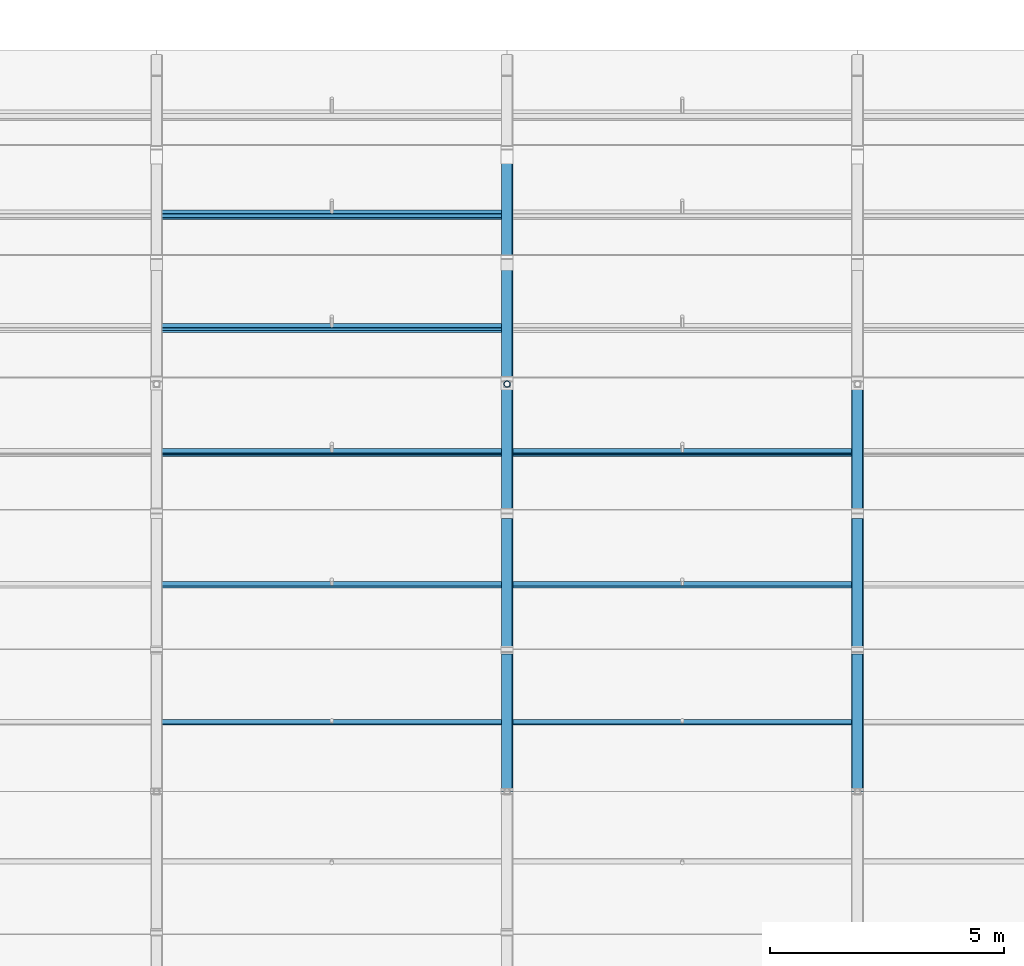
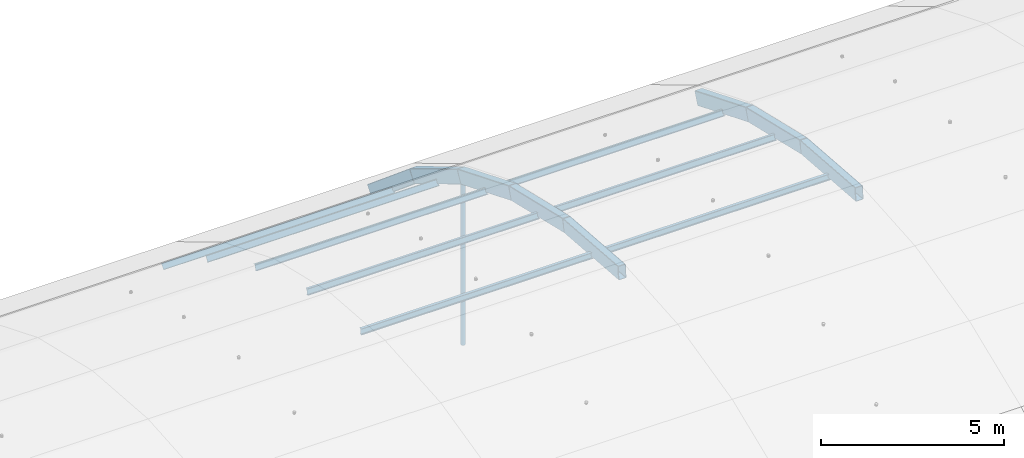
# One storey, part 26 of 77: 9 members, 8 beams.
"""IFC4 building model written with IfcOpenShell, lengths in metres."""

from ifc_helpers import new_model, si_unit, direction, frame, origin, origin_2d, place, context, subcontext, project, spatial, hollow_rectangle, hollow_circle, i_section, extrude, material, material_profile, profile_set, type_object, element, save


model = new_model("IFC4")

# Units and contexts
model_context = context("Model", 3, precision=1e-05, world=origin(), true_north=direction((0.0, 1.0)))
body_context = subcontext(model_context, "Body", "Model", "MODEL_VIEW")
ifc_project = project(units=[si_unit("LENGTHUNIT", "METRE"), si_unit("AREAUNIT", "SQUARE_METRE"), si_unit("VOLUMEUNIT", "CUBIC_METRE"), si_unit("PLANEANGLEUNIT", "RADIAN"), si_unit("MASSUNIT", "GRAM", prefix="KILO")], contexts=[model_context])

# Site, building, storey
site_placement = place(None, origin())
site = spatial("IfcSite", under=ifc_project, at=site_placement, CompositionType="ELEMENT")
building_placement = place(site_placement, origin())
building = spatial("IfcBuilding", under=site, at=building_placement, Name="Yukiwa Park Conservatory and Herbarium", CompositionType="ELEMENT")
storey_placement = place(building_placement, frame((0.0, 0.0, 13.199951171875)))
storey = spatial("IfcBuildingStorey", under=building, at=storey_placement, Name="L03", CompositionType="ELEMENT", Elevation=13.199951171875)

# Beams
ifc_material_1 = material(Name="Steel Q355D", Category="steel")
ifc_material_profile_1 = material_profile(ifc_material_1, hollow_rectangle(XDim=0.25, YDim=0.449951171875, WallThickness=0.013916015625, InnerFilletRadius=0.013916015625, OuterFilletRadius=0.028076171875, at=origin_2d()), Name="RHS 450x250x14")
ifc_profile_set_1 = profile_set([ifc_material_profile_1], Name="Steel Q355D")
beam_type = type_object("IfcBeamType", Name="BM-VLT-ARCH450", PredefinedType="BEAM", material=ifc_profile_set_1)
for number, where, z_axis, x_axis, name in (
    (1, (37.5, 15.60009765625, 3.60009765625), (0.0, 0.997015721433, -0.077198777292), (-1.0, 0.0, 0.0), "Conservatory barrel vault arch rib 6 chord 7"),
    (2, (37.5, 18.601806640625, 3.36767578125), (0.0, 0.973254208946, -0.22973080936), (-1.0, 0.0, 0.0), "Conservatory barrel vault arch rib 6 chord 8"),
    (3, (37.5, 21.531982421875, 2.676025390625), (0.0, 0.926245501683, -0.37692077498), (-1.0, 0.0, 0.0), "Conservatory barrel vault arch rib 6 chord 9"),
    (4, (37.5, 24.320556640625, 1.541259765625), (0.0, 0.857249569488, -0.514901131881), (-1.0, 0.0, 0.0), "Conservatory barrel vault arch rib 6 chord 10"),
    (5, (37.5, 26.901611328125, -0.009033203125), (0.0, 0.767782402885, -0.640710684959), (-1.0, 0.0, 0.0), "Conservatory barrel vault arch rib 6 chord 11"),
    (6, (45.0, 15.60009765625, 3.60009765625), (0.0, 0.997015721433, -0.077198777292), (-1.0, 0.0, 0.0), "Conservatory barrel vault arch rib 7 chord 7"),
    (7, (45.0, 18.601806640625, 3.36767578125), (0.0, 0.973254208946, -0.22973080936), (-1.0, 0.0, 0.0), "Conservatory barrel vault arch rib 7 chord 8"),
    (8, (45.0, 21.531982421875, 2.676025390625), (0.0, 0.926245501683, -0.37692077498), (-1.0, 0.0, 0.0), "Conservatory barrel vault arch rib 7 chord 9"),
):
    element("IfcBeam", number, at=place(storey_placement, frame(where, z_axis=z_axis, x_axis=x_axis)), inside=storey, type_object=beam_type, Name=name, PredefinedType="BEAM", context=body_context, shape_type="SweptSolid", body=[
        extrude(hollow_rectangle(XDim=0.25, YDim=0.449951171875, WallThickness=0.013916015625, InnerFilletRadius=0.013916015625, OuterFilletRadius=0.028076171875, at=origin_2d()), origin(), (0.0, 0.0, 1.0), 3.0107421875),
    ])

# Members
ifc_material_2 = material(Name="Steel Q355D", Category="steel")
ifc_material_profile_2 = material_profile(ifc_material_2, i_section(OverallWidth=0.10009765625, OverallDepth=0.199951171875, WebThickness=0.005615234375, FlangeThickness=0.008056640625, FilletRadius=0.010986328125, at=origin_2d()), Name="HN 200x100x5.5x8")
ifc_profile_set_2 = profile_set([ifc_material_profile_2], Name="Steel Q355D")
member_type_1 = type_object("IfcMemberType", Name="MB-VLT-PURL200", PredefinedType="PURLIN", material=ifc_profile_set_2)
for number, where, z_axis, x_axis, name in (
    (9, (30.0849609375, 17.087158203125, 3.308349609375), (1.0, 0.0, 0.0), (0.0, 0.997015814894, -0.077197570239), "Conservatory vault longitudinal purlin 5.7"),
    (10, (30.0849609375, 20.0263671875, 2.850341796875), (1.0, 0.0, 0.0), (0.0, 0.973249092076, -0.22975248589), "Conservatory vault longitudinal purlin 5.8"),
    (11, (30.0849609375, 22.85986328125, 1.945556640625), (1.0, 0.0, 0.0), (0.0, 0.926282194237, -0.376830594086), "Conservatory vault longitudinal purlin 5.9"),
    (12, (30.0849609375, 25.5205078125, 0.615234375), (1.0, 0.0, 0.0), (0.0, 0.857233812968, -0.514927363717), "Conservatory vault longitudinal purlin 5.10"),
    (13, (30.0849609375, 27.944580078125, -1.108642578125), (1.0, 0.0, 0.0), (0.0, 0.767751470285, -0.640747750582), "Conservatory vault longitudinal purlin 5.11"),
    (14, (37.5849609375, 17.087158203125, 3.308349609375), (1.0, 0.0, 0.0), (0.0, 0.997015814894, -0.077197570239), "Conservatory vault longitudinal purlin 6.7"),
    (15, (37.5849609375, 20.0263671875, 2.850341796875), (1.0, 0.0, 0.0), (0.0, 0.973249092076, -0.22975248589), "Conservatory vault longitudinal purlin 6.8"),
    (16, (37.5849609375, 22.85986328125, 1.945556640625), (1.0, 0.0, 0.0), (0.0, 0.926282194237, -0.376830594086), "Conservatory vault longitudinal purlin 6.9"),
):
    element("IfcMember", number, at=place(storey_placement, frame(where, z_axis=z_axis, x_axis=x_axis)), inside=storey, type_object=member_type_1, Name=name, PredefinedType="PURLIN", context=body_context, shape_type="SweptSolid", body=[
        extrude(i_section(OverallWidth=0.10009765625, OverallDepth=0.199951171875, WebThickness=0.005615234375, FlangeThickness=0.008056640625, FilletRadius=0.010986328125, at=origin_2d()), origin(), (0.0, 0.0, 1.0), 7.330078125),
    ])
ifc_material_3 = material(Name="Steel Q355D", Category="steel")
ifc_material_profile_3 = material_profile(ifc_material_3, hollow_circle(Radius=0.06982421875, WallThickness=0.008056640625, at=origin_2d()), Name="CHS 139.7x8")
ifc_profile_set_3 = profile_set([ifc_material_profile_3], Name="Steel Q355D")
member_type_2 = type_object("IfcMemberType", Name="MB-VLT-STRUT140", PredefinedType="STRUT", material=ifc_profile_set_3)
member_placement = place(storey_placement, frame((37.5, 24.320556640625, -4.095947265625), z_axis=(0.0, 0.0, 1.0), x_axis=(1.0, 0.0, 0.0)))
element("IfcMember", 17, at=member_placement, inside=storey, type_object=member_type_2, Name="Conservatory vault bowstring hanger 6.9", PredefinedType="STRUT", context=body_context, shape_type="SweptSolid", body=[
    extrude(hollow_circle(Radius=0.06982421875, WallThickness=0.008056640625, at=origin_2d()), origin(), (0.0, 0.0, 1.0), 5.42236328125),
])

save(model, "model.ifc")
